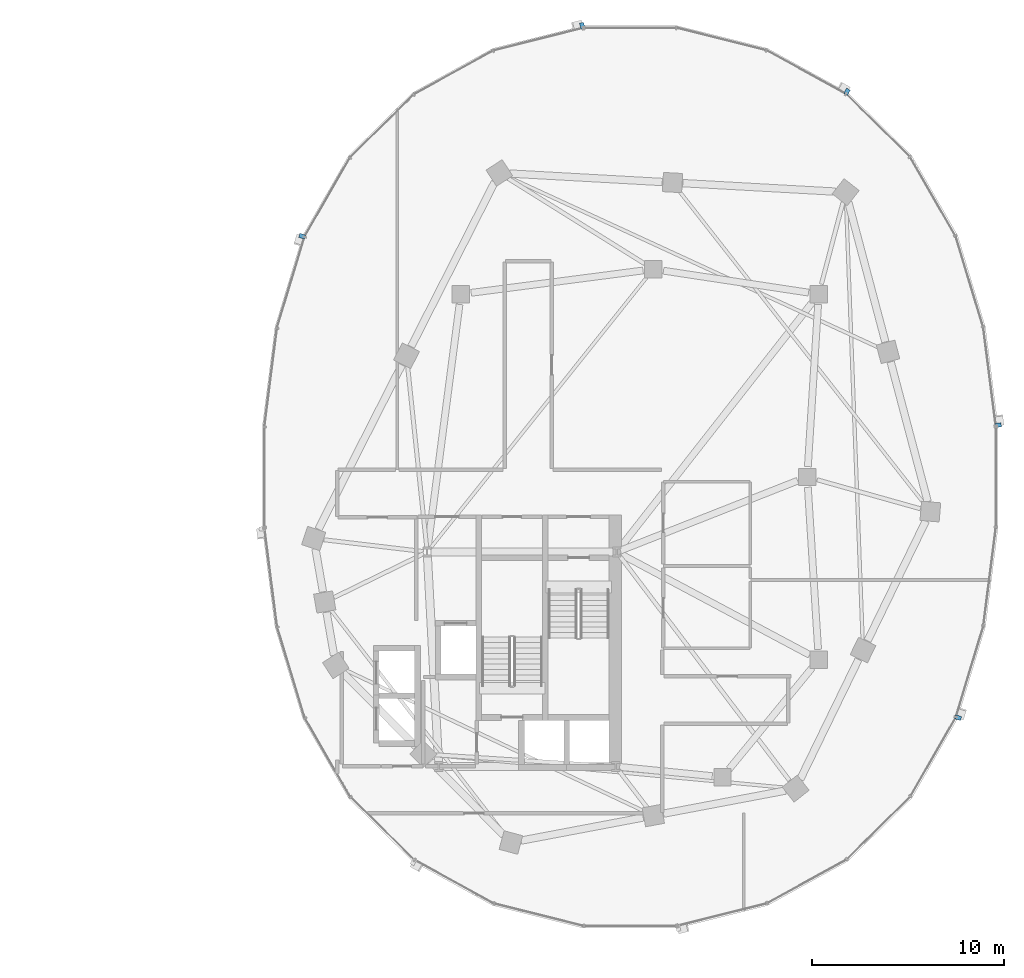
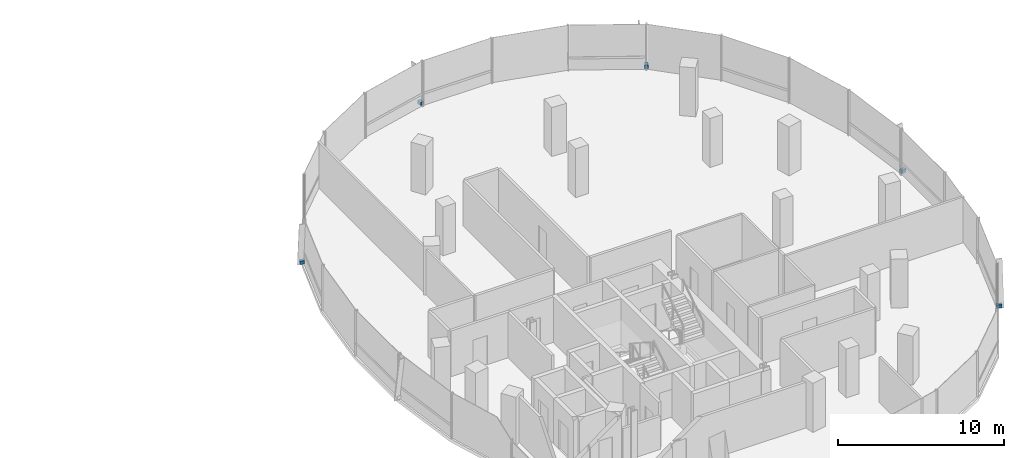
# One storey, part 17 of 22: 5 discrete accessories.
"""IFC4 building model written with IfcOpenShell, lengths in metres."""

from ifc_helpers import new_model, si_unit, direction, frame, origin, origin_2d, place, context, subcontext, project, spatial, rectangle, extrude, material, type_object, element, save


model = new_model("IFC4")

# Units and contexts
model_context = context("Model", 3, precision=1e-05, world=origin(), true_north=direction((0.0, 1.0)))
body_context = subcontext(model_context, "Body", "Model", "MODEL_VIEW")
ifc_project = project(units=[si_unit("LENGTHUNIT", "METRE"), si_unit("AREAUNIT", "SQUARE_METRE"), si_unit("VOLUMEUNIT", "CUBIC_METRE"), si_unit("PLANEANGLEUNIT", "RADIAN"), si_unit("MASSUNIT", "GRAM", prefix="KILO"), si_unit("THERMODYNAMICTEMPERATUREUNIT", "KELVIN"), si_unit("POWERUNIT", "WATT")], contexts=[model_context])

# Site, building, storey
site_placement = place(None, origin())
site = spatial("IfcSite", under=ifc_project, at=site_placement, CompositionType="ELEMENT")
building_placement = place(site_placement, origin())
building = spatial("IfcBuilding", under=site, at=building_placement, Name="Cundina Bronze Exchange", CompositionType="ELEMENT")
storey_placement = place(building_placement, frame((0.0, 0.0, 136.800048828125)))
storey = spatial("IfcBuildingStorey", under=building, at=storey_placement, Name="L35", CompositionType="ELEMENT", Elevation=136.800048828125)

# Discrete accessories
ifc_material = material(Name="Anodised Bronze Aluminium 6063-T6", Category="aluminium")
discrete_accessory_type = type_object("IfcDiscreteAccessoryType", Name="ACC-BRK-FIN", PredefinedType="BRACKET", material=ifc_material)
for number, where, z_axis, x_axis, name in (
    (1, (51.125732421875, 2.69189453125, 0.10009765625), (0.0, 0.0, 1.0), (-0.126475984253, 0.9919696696, 0.0), "L35 Fin Support Bracket 1"),
    (2, (43.266845703125, 20.015380859375, 0.10009765625), (0.0, 0.0, 1.0), (-0.875869093438, 0.482548786301, 0.0), "L35 Fin Support Bracket 5"),
    (3, (29.507080078125, 23.44970703125, 0.10009765625), (0.0, 0.0, 1.0), (-0.970092713791, -0.242734683656, 0.0), "L35 Fin Support Bracket 1"),
    (4, (14.9541015625, 12.511962890625, 0.10009765625), (0.0, 0.0, 1.0), (-0.290050843957, -0.957011237092, 0.0), "L35 Fin Support Bracket 5"),
    (5, (49.0458984375, -12.511962890625, 0.10009765625), (0.0, 0.0, 1.0), (0.290050843957, 0.957011237092, 0.0), "L35 Fin Support Bracket 5"),
):
    element("IfcDiscreteAccessory", number, at=place(storey_placement, frame(where, z_axis=z_axis, x_axis=x_axis)), inside=storey, type_object=discrete_accessory_type, Name=name, PredefinedType="BRACKET", context=body_context, shape_type="SweptSolid", body=[
        extrude(rectangle(XDim=0.219970703125, YDim=0.320068359375, at=origin_2d()), origin(), (0.0, 0.0, 1.0), 0.239990234375),
    ])

save(model, "model.ifc")
